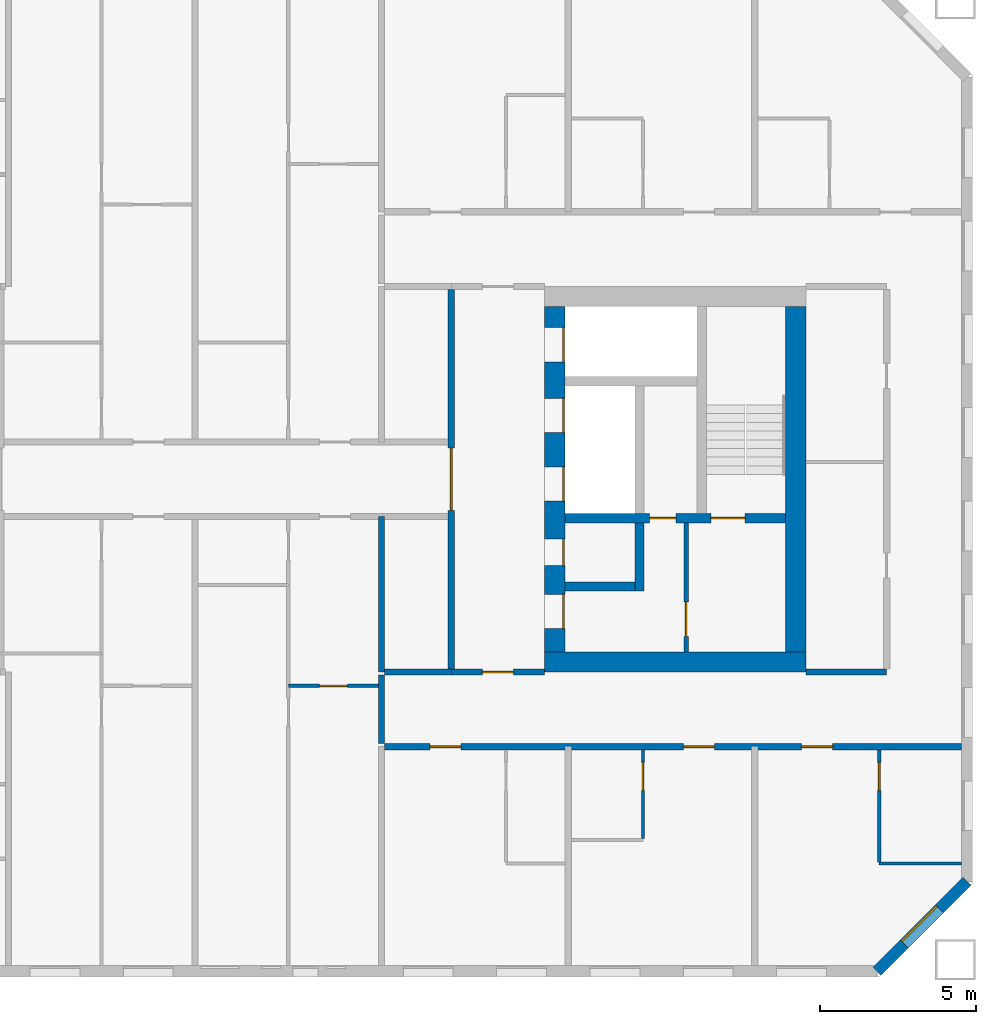
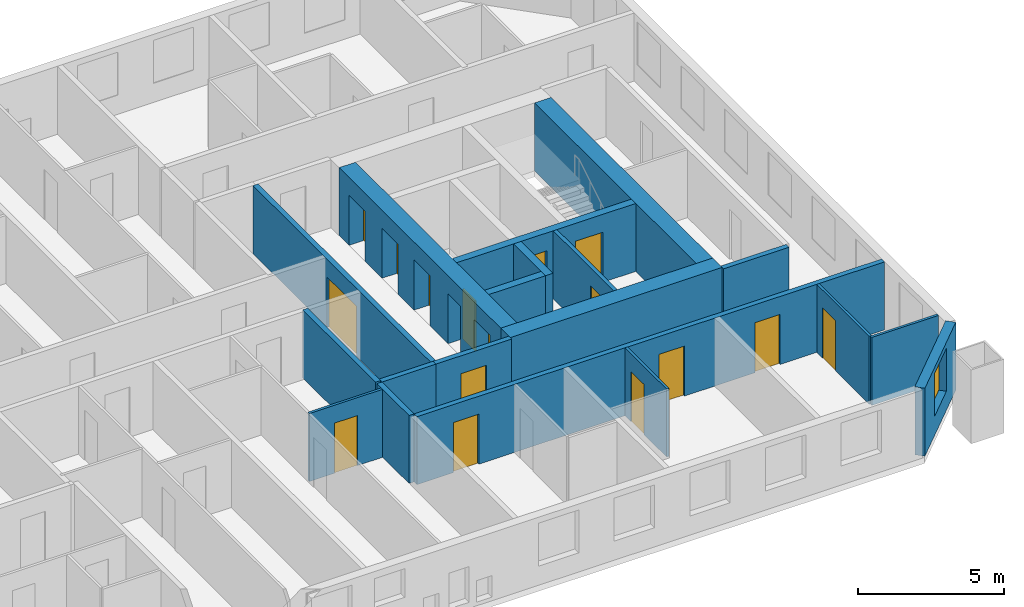
# One storey, part 12 of 16: 19 walls, 16 doors, 1 window, 17 openings.
"""IFC4 building model written with IfcOpenShell, lengths in metres."""

from ifc_helpers import new_model, si_unit, direction, frame, frame_2d, origin, place, context, subcontext, project, spatial, rectangle, extrude, material, layer, layer_set, type_object, element, fill, save


model = new_model("IFC4")

# Units and contexts
model_context = context("Model", 3, precision=1e-05, world=origin(), true_north=direction((0.0, 1.0)))
body_context = subcontext(model_context, "Body", "Model", "MODEL_VIEW")
ifc_project = project(units=[si_unit("LENGTHUNIT", "METRE"), si_unit("AREAUNIT", "SQUARE_METRE"), si_unit("VOLUMEUNIT", "CUBIC_METRE"), si_unit("PLANEANGLEUNIT", "RADIAN"), si_unit("MASSUNIT", "GRAM", prefix="KILO")], contexts=[model_context])

# Site, building, storey
site_placement = place(None, origin())
site = spatial("IfcSite", under=ifc_project, at=site_placement, CompositionType="ELEMENT")
building_placement = place(site_placement, origin())
building = spatial("IfcBuilding", under=site, at=building_placement, Name="Tuart Gate Housing", CompositionType="ELEMENT")
storey_placement = place(building_placement, frame((0.0, 0.0, 111.89990234375)))
storey = spatial("IfcBuildingStorey", under=building, at=storey_placement, Name="L31", CompositionType="ELEMENT", Elevation=111.89990234375)

# Wall, opening, window
ifc_material_1 = material(Name="Brick", Category="masonry")
ifc_layer_1 = layer(ifc_material_1, 0.360107421875)
ifc_layer_set_1 = layer_set([ifc_layer_1], Name="Brick pier and spandrel wall 360")
wall_type_1 = type_object("IfcWallType", Name="Brick pier and spandrel wall 360", PredefinedType="STANDARD", material=ifc_layer_set_1)
wall_1_placement = place(storey_placement, frame((170.92529296875, 54.179931640625, 0.0), z_axis=(0.0, 0.0, 1.0), x_axis=(0.707106781187, 0.707106781187, 0.0)))
wall_1 = element("IfcWall", 1, at=wall_1_placement, inside=storey, type_object=wall_type_1, Name="External wall B-SE L31", PredefinedType="STANDARD", context=body_context, shape_type="SweptSolid", body=[
    extrude(rectangle(XDim=4.09375, YDim=0.360107421875, at=frame_2d((2.046875, 0.0))), origin(), (0.0, 0.0, 1.0), 2.85009765625),
])
opening_1_placement = place(wall_1_placement, frame((1.2470703125, 0.0, 0.800048828125)))
opening_1 = element("IfcOpeningElement", 2, at=opening_1_placement, cuts=wall_1, Name="Opening W1", PredefinedType="OPENING", context=body_context, shape_type="SweptSolid", body=[
    extrude(rectangle(XDim=1.60009765625, YDim=1.800048828125, at=frame_2d((0.800048828125, 0.89990234375))), frame((0.0, 0.18994140625, 0.0), z_axis=(0.0, -1.0, 0.0), x_axis=(1.0, 0.0, 0.0)), (0.0, 0.0, 1.0), 0.380126953125),
])
ifc_material_2 = material(Name="Aluminium frame with clear glass", Category="aluminium")
window_type = type_object("IfcWindowType", Name="Punched window 1600 x 1800", PartitioningType="SINGLE_PANEL", PredefinedType="WINDOW", material=ifc_material_2)
window_placement = place(opening_1_placement, origin())
window = element("IfcWindow", 3, at=window_placement, inside=storey, type_object=window_type, Name="Window W1", OverallHeight=1.800048828125, OverallWidth=1.60009765625, PartitioningType="SINGLE_PANEL", PredefinedType="WINDOW", context=body_context, shape_type="SweptSolid", body=[
    extrude(rectangle(XDim=1.60009765625, YDim=1.800048828125, at=frame_2d((0.800048828125, 0.89990234375))), frame((0.0, 0.150146484375, 0.0), z_axis=(0.0, -1.0, 0.0), x_axis=(1.0, 0.0, 0.0)), (0.0, 0.0, 1.0), 0.06005859375),
])
fill(opening_1, window)

# Wall, opening, door
ifc_material_3 = material(Name="Plasterboard partition")
ifc_layer_2 = layer(ifc_material_3, 0.14990234375)
ifc_layer_set_2 = layer_set([ifc_layer_2], Name="Core partition 150")
wall_type_2 = type_object("IfcWallType", Name="Core partition 150", PredefinedType="PARTITIONING", material=ifc_layer_set_2)
wall_2_placement = place(storey_placement, frame((164.7900390625, 68.60009765625, 0.0), z_axis=(0.0, 0.0, 1.0), x_axis=(0.0, -1.0, 0.0)))
wall_2 = element("IfcWall", 4, at=wall_2_placement, inside=storey, type_object=wall_type_2, Name="Core partition BK.6", PredefinedType="PARTITIONING", context=body_context, shape_type="SweptSolid", body=[
    extrude(rectangle(XDim=4.150146484375, YDim=0.14990234375, at=frame_2d((2.0751953125, 0.0))), origin(), (0.0, 0.0, 1.0), 2.85009765625),
])
opening_2_placement = place(wall_2_placement, frame((2.550048828125, 0.0, 0.0)))
opening_2 = element("IfcOpeningElement", 5, at=opening_2_placement, cuts=wall_2, Name="Opening D1271", PredefinedType="OPENING", context=body_context, shape_type="SweptSolid", body=[
    extrude(rectangle(XDim=1.10009765625, YDim=2.10009765625, at=frame_2d((0.550048828125, 1.050048828125))), frame((0.0, 0.0849609375, 0.0), z_axis=(0.0, -1.0, 0.0), x_axis=(1.0, 0.0, 0.0)), (0.0, 0.0, 1.0), 0.169921875),
])
ifc_material_4 = material(Name="Steel fire door", Category="steel")
door_type_1 = type_object("IfcDoorType", Name="Lobby door 1100 x 2100 RH", OperationType="SINGLE_SWING_RIGHT", PredefinedType="DOOR", material=ifc_material_4)
door_1_placement = place(opening_2_placement, origin())
door_1 = element("IfcDoor", 6, at=door_1_placement, inside=storey, type_object=door_type_1, Name="Smoke lobby door BK.KD", OperationType="SINGLE_SWING_RIGHT", OverallHeight=2.10009765625, OverallWidth=1.10009765625, PredefinedType="DOOR", context=body_context, shape_type="SweptSolid", body=[
    extrude(rectangle(XDim=1.10009765625, YDim=2.10009765625, at=frame_2d((0.550048828125, 1.050048828125))), frame((0.0, 0.02490234375, 0.0), z_axis=(0.0, -1.0, 0.0), x_axis=(1.0, 0.0, 0.0)), (0.0, 0.0, 1.0), 0.050048828125),
])
fill(opening_2, door_1)

# Wall, openings, doors
ifc_material_5 = material(Name="Concrete C50", Category="concrete")
ifc_layer_3 = layer(ifc_material_5, 0.300048828125)
ifc_layer_set_3 = layer_set([ifc_layer_3], Name="Core wall 300 C50")
wall_type_3 = type_object("IfcWallType", Name="Core wall 300 C50", PredefinedType="SHEAR", material=ifc_layer_set_3)
wall_3_placement = place(storey_placement, frame((160.889892578125, 68.75, 0.0), z_axis=(0.0, 0.0, 1.0), x_axis=(1.0, 0.0, 0.0)))
wall_3 = element("IfcWall", 7, at=wall_3_placement, inside=storey, type_object=wall_type_3, Name="Core wall BK.2", PredefinedType="SHEAR", context=body_context, shape_type="SweptSolid", body=[
    extrude(rectangle(XDim=7.10009765625, YDim=0.300048828125, at=frame_2d((3.550048828125, 0.0))), origin(), (0.0, 0.0, 1.0), 2.85009765625),
])
opening_3_placement = place(wall_3_placement, frame((4.699951171875, 0.0, 0.0)))
opening_3 = element("IfcOpeningElement", 8, at=opening_3_placement, cuts=wall_3, Name="Opening D1270", PredefinedType="OPENING", context=body_context, shape_type="SweptSolid", body=[
    extrude(rectangle(XDim=1.10009765625, YDim=2.10009765625, at=frame_2d((0.550048828125, 1.050048828125))), frame((0.0, 0.159912109375, 0.0), z_axis=(0.0, -1.0, 0.0), x_axis=(1.0, 0.0, 0.0)), (0.0, 0.0, 1.0), 0.320068359375),
])
opening_4_placement = place(wall_3_placement, frame((2.72509765625, 0.0, 0.0)))
opening_4 = element("IfcOpeningElement", 9, at=opening_4_placement, cuts=wall_3, Name="Opening D1269", PredefinedType="OPENING", context=body_context, shape_type="SweptSolid", body=[
    extrude(rectangle(XDim=0.85009765625, YDim=2.10009765625, at=frame_2d((0.425048828125, 1.050048828125))), frame((0.0, 0.159912109375, 0.0), z_axis=(0.0, -1.0, 0.0), x_axis=(1.0, 0.0, 0.0)), (0.0, 0.0, 1.0), 0.320068359375),
])
ifc_material_6 = material(Name="Steel fire door", Category="steel")
door_type_2 = type_object("IfcDoorType", Name="Riser door 850 x 2100", OperationType="SINGLE_SWING_LEFT", PredefinedType="DOOR", material=ifc_material_6)
door_2_placement = place(opening_4_placement, origin())
door_2 = element("IfcDoor", 10, at=door_2_placement, inside=storey, type_object=door_type_2, Name="Service room door BK.W1", OperationType="SINGLE_SWING_LEFT", OverallHeight=2.10009765625, OverallWidth=0.85009765625, PredefinedType="DOOR", context=body_context, shape_type="SweptSolid", body=[
    extrude(rectangle(XDim=0.85009765625, YDim=2.10009765625, at=frame_2d((0.425048828125, 1.050048828125))), frame((0.0, 0.02490234375, 0.0), z_axis=(0.0, -1.0, 0.0), x_axis=(1.0, 0.0, 0.0)), (0.0, 0.0, 1.0), 0.050048828125),
])
fill(opening_4, door_2)
ifc_material_7 = material(Name="Steel fire door", Category="steel")
door_type_3 = type_object("IfcDoorType", Name="Stair door 1100 x 2100", OperationType="SINGLE_SWING_LEFT", PredefinedType="DOOR", material=ifc_material_7)
door_3_placement = place(opening_3_placement, origin())
door_3 = element("IfcDoor", 11, at=door_3_placement, inside=storey, type_object=door_type_3, Name="Stair door BK.SD", OperationType="SINGLE_SWING_LEFT", OverallHeight=2.10009765625, OverallWidth=1.10009765625, PredefinedType="DOOR", context=body_context, shape_type="SweptSolid", body=[
    extrude(rectangle(XDim=1.10009765625, YDim=2.10009765625, at=frame_2d((0.550048828125, 1.050048828125))), frame((0.0, 0.02490234375, 0.0), z_axis=(0.0, -1.0, 0.0), x_axis=(1.0, 0.0, 0.0)), (0.0, 0.0, 1.0), 0.050048828125),
])
fill(opening_3, door_3)

# Walls
wall_4_placement = place(storey_placement, frame((160.889892578125, 66.550048828125, 0.0), z_axis=(0.0, 0.0, 1.0), x_axis=(1.0, 0.0, 0.0)))
element("IfcWall", 12, at=wall_4_placement, inside=storey, type_object=wall_type_3, Name="Core wall BK.3", PredefinedType="SHEAR", context=body_context, shape_type="SweptSolid", body=[
    extrude(rectangle(XDim=2.25, YDim=0.300048828125, at=frame_2d((1.125, 0.0))), origin(), (0.0, 0.0, 1.0), 2.85009765625),
])
wall_5_placement = place(storey_placement, frame((163.2900390625, 68.60009765625, 0.0), z_axis=(0.0, 0.0, 1.0), x_axis=(0.0, -1.0, 0.0)))
element("IfcWall", 13, at=wall_5_placement, inside=storey, type_object=wall_type_3, Name="Core wall BK.5", PredefinedType="SHEAR", context=body_context, shape_type="SweptSolid", body=[
    extrude(rectangle(XDim=2.2001953125, YDim=0.300048828125, at=frame_2d((1.10009765625, 0.0))), origin(), (0.0, 0.0, 1.0), 2.85009765625),
])

# Wall, openings, doors
ifc_material_8 = material(Name="Concrete C50", Category="concrete")
ifc_layer_4 = layer(ifc_material_8, 0.64990234375)
ifc_layer_set_4 = layer_set([ifc_layer_4], Name="Core wall 650 C50")
wall_type_4 = type_object("IfcWallType", Name="Core wall 650 C50", PredefinedType="SHEAR", material=ifc_layer_set_4)
wall_6_placement = place(storey_placement, frame((160.56494140625, 75.550048828125, 0.0), z_axis=(0.0, 0.0, 1.0), x_axis=(0.0, -1.0, 0.0)))
wall_6 = element("IfcWall", 14, at=wall_6_placement, inside=storey, type_object=wall_type_4, Name="Core wall BK front", PredefinedType="SHEAR", context=body_context, shape_type="SweptSolid", body=[
    extrude(rectangle(XDim=11.10009765625, YDim=0.64990234375, at=frame_2d((5.550048828125, 0.0))), origin(), (0.0, 0.0, 1.0), 2.85009765625),
])
opening_5_placement = place(wall_6_placement, frame((0.675048828125, 0.0, 0.0)))
opening_5 = element("IfcOpeningElement", 15, at=opening_5_placement, cuts=wall_6, Name="Opening LD-FB2", PredefinedType="OPENING", context=body_context, shape_type="SweptSolid", body=[
    extrude(rectangle(XDim=1.10009765625, YDim=2.10009765625, at=frame_2d((0.550048828125, 1.050048828125))), frame((0.0, 0.3349609375, 0.0), z_axis=(0.0, -1.0, 0.0), x_axis=(1.0, 0.0, 0.0)), (0.0, 0.0, 1.0), 0.669921875),
])
opening_6_placement = place(wall_6_placement, frame((2.949951171875, 0.0, 0.0)))
opening_6 = element("IfcOpeningElement", 16, at=opening_6_placement, cuts=wall_6, Name="Opening LD-LB3", PredefinedType="OPENING", context=body_context, shape_type="SweptSolid", body=[
    extrude(rectangle(XDim=1.10009765625, YDim=2.10009765625, at=frame_2d((0.550048828125, 1.050048828125))), frame((0.0, 0.3349609375, 0.0), z_axis=(0.0, -1.0, 0.0), x_axis=(1.0, 0.0, 0.0)), (0.0, 0.0, 1.0), 0.669921875),
])
opening_7_placement = place(wall_6_placement, frame((5.14990234375, 0.0, 0.0)))
opening_7 = element("IfcOpeningElement", 17, at=opening_7_placement, cuts=wall_6, Name="Opening LD-LB4", PredefinedType="OPENING", context=body_context, shape_type="SweptSolid", body=[
    extrude(rectangle(XDim=1.10009765625, YDim=2.10009765625, at=frame_2d((0.550048828125, 1.050048828125))), frame((0.0, 0.3349609375, 0.0), z_axis=(0.0, -1.0, 0.0), x_axis=(1.0, 0.0, 0.0)), (0.0, 0.0, 1.0), 0.669921875),
])
opening_8_placement = place(wall_6_placement, frame((9.25, 0.0, 0.0)))
opening_8 = element("IfcOpeningElement", 18, at=opening_8_placement, cuts=wall_6, Name="Opening D1263", PredefinedType="OPENING", context=body_context, shape_type="SweptSolid", body=[
    extrude(rectangle(XDim=1.10009765625, YDim=2.10009765625, at=frame_2d((0.550048828125, 1.050048828125))), frame((0.0, 0.3349609375, 0.0), z_axis=(0.0, -1.0, 0.0), x_axis=(1.0, 0.0, 0.0)), (0.0, 0.0, 1.0), 0.669921875),
])
opening_9_placement = place(wall_6_placement, frame((7.47509765625, 0.0, 0.0)))
opening_9 = element("IfcOpeningElement", 19, at=opening_9_placement, cuts=wall_6, Name="Opening D1264", PredefinedType="OPENING", context=body_context, shape_type="SweptSolid", body=[
    extrude(rectangle(XDim=0.85009765625, YDim=2.10009765625, at=frame_2d((0.425048828125, 1.050048828125))), frame((0.0, 0.3349609375, 0.0), z_axis=(0.0, -1.0, 0.0), x_axis=(1.0, 0.0, 0.0)), (0.0, 0.0, 1.0), 0.669921875),
])
ifc_material_9 = material(Name="Stainless steel", Category="steel")
door_type_4 = type_object("IfcDoorType", Name="Landing door 1100 x 2100", OperationType="DOUBLE_DOOR_SLIDING", PredefinedType="DOOR", material=ifc_material_9)
door_4_placement = place(opening_5_placement, origin())
door_4 = element("IfcDoor", 20, at=door_4_placement, inside=storey, type_object=door_type_4, Name="Lift landing door FB2", OperationType="DOUBLE_DOOR_SLIDING", OverallHeight=2.10009765625, OverallWidth=1.10009765625, PredefinedType="DOOR", context=body_context, shape_type="SweptSolid", body=[
    extrude(rectangle(XDim=1.10009765625, YDim=2.10009765625, at=frame_2d((0.550048828125, 1.050048828125))), frame((0.0, 0.31005859375, 0.0), z_axis=(0.0, -1.0, 0.0), x_axis=(1.0, 0.0, 0.0)), (0.0, 0.0, 1.0), 0.050048828125),
])
fill(opening_5, door_4)
door_5_placement = place(opening_6_placement, origin())
door_5 = element("IfcDoor", 21, at=door_5_placement, inside=storey, type_object=door_type_4, Name="Lift landing door LB3", OperationType="DOUBLE_DOOR_SLIDING", OverallHeight=2.10009765625, OverallWidth=1.10009765625, PredefinedType="DOOR", context=body_context, shape_type="SweptSolid", body=[
    extrude(rectangle(XDim=1.10009765625, YDim=2.10009765625, at=frame_2d((0.550048828125, 1.050048828125))), frame((0.0, 0.31005859375, 0.0), z_axis=(0.0, -1.0, 0.0), x_axis=(1.0, 0.0, 0.0)), (0.0, 0.0, 1.0), 0.050048828125),
])
fill(opening_6, door_5)
door_6_placement = place(opening_7_placement, origin())
door_6 = element("IfcDoor", 22, at=door_6_placement, inside=storey, type_object=door_type_4, Name="Lift landing door LB4", OperationType="DOUBLE_DOOR_SLIDING", OverallHeight=2.10009765625, OverallWidth=1.10009765625, PredefinedType="DOOR", context=body_context, shape_type="SweptSolid", body=[
    extrude(rectangle(XDim=1.10009765625, YDim=2.10009765625, at=frame_2d((0.550048828125, 1.050048828125))), frame((0.0, 0.31005859375, 0.0), z_axis=(0.0, -1.0, 0.0), x_axis=(1.0, 0.0, 0.0)), (0.0, 0.0, 1.0), 0.050048828125),
])
fill(opening_7, door_6)
ifc_material_10 = material(Name="Steel fire door", Category="steel")
door_type_5 = type_object("IfcDoorType", Name="Lobby door 1100 x 2100", OperationType="SINGLE_SWING_LEFT", PredefinedType="DOOR", material=ifc_material_10)
door_7_placement = place(opening_8_placement, origin())
door_7 = element("IfcDoor", 23, at=door_7_placement, inside=storey, type_object=door_type_5, Name="Lobby entry door BK.EN", OperationType="SINGLE_SWING_LEFT", OverallHeight=2.10009765625, OverallWidth=1.10009765625, PredefinedType="DOOR", context=body_context, shape_type="SweptSolid", body=[
    extrude(rectangle(XDim=1.10009765625, YDim=2.10009765625, at=frame_2d((0.550048828125, 1.050048828125))), frame((0.0, 0.31005859375, 0.0), z_axis=(0.0, -1.0, 0.0), x_axis=(1.0, 0.0, 0.0)), (0.0, 0.0, 1.0), 0.050048828125),
])
fill(opening_8, door_7)
ifc_material_11 = material(Name="Steel fire door", Category="steel")
door_type_6 = type_object("IfcDoorType", Name="Service door 850 x 2100", OperationType="SINGLE_SWING_LEFT", PredefinedType="DOOR", material=ifc_material_11)
door_8_placement = place(opening_9_placement, origin())
door_8 = element("IfcDoor", 24, at=door_8_placement, inside=storey, type_object=door_type_6, Name="Service room door BK.T1", OperationType="SINGLE_SWING_LEFT", OverallHeight=2.10009765625, OverallWidth=0.85009765625, PredefinedType="DOOR", context=body_context, shape_type="SweptSolid", body=[
    extrude(rectangle(XDim=0.85009765625, YDim=2.10009765625, at=frame_2d((0.425048828125, 1.050048828125))), frame((0.0, 0.31005859375, 0.0), z_axis=(0.0, -1.0, 0.0), x_axis=(1.0, 0.0, 0.0)), (0.0, 0.0, 1.0), 0.050048828125),
])
fill(opening_9, door_8)

# Walls
wall_7_placement = place(storey_placement, frame((168.31494140625, 75.550048828125, 0.0), z_axis=(0.0, 0.0, 1.0), x_axis=(0.0, -1.0, 0.0)))
element("IfcWall", 25, at=wall_7_placement, inside=storey, type_object=wall_type_4, Name="Core wall BK back", PredefinedType="SHEAR", context=body_context, shape_type="SweptSolid", body=[
    extrude(rectangle(XDim=11.10009765625, YDim=0.64990234375, at=frame_2d((5.550048828125, 0.0))), origin(), (0.0, 0.0, 1.0), 2.85009765625),
])
wall_8_placement = place(storey_placement, frame((160.239990234375, 64.125, 0.0), z_axis=(0.0, 0.0, 1.0), x_axis=(1.0, 0.0, 0.0)))
element("IfcWall", 26, at=wall_8_placement, inside=storey, type_object=wall_type_4, Name="Core wall BK north", PredefinedType="SHEAR", context=body_context, shape_type="SweptSolid", body=[
    extrude(rectangle(XDim=8.39990234375, YDim=0.64990234375, at=frame_2d((4.199951171875, 0.0))), origin(), (0.0, 0.0, 1.0), 2.85009765625),
])

# Wall, openings, doors
ifc_material_12 = material(Name="Concrete masonry 15 MPa", Category="masonry")
ifc_layer_5 = layer(ifc_material_12, 0.199951171875)
ifc_layer_set_5 = layer_set([ifc_layer_5], Name="Corridor wall masonry 200")
wall_type_5 = type_object("IfcWallType", Name="Corridor wall masonry 200", PredefinedType="PARTITIONING", material=ifc_layer_set_5)
wall_9_placement = place(storey_placement, frame((155.10009765625, 61.39990234375, 0.0), z_axis=(0.0, 0.0, 1.0), x_axis=(1.0, 0.0, 0.0)))
wall_9 = element("IfcWall", 27, at=wall_9_placement, inside=storey, type_object=wall_type_5, Name="Corridor wall masonry 200", PredefinedType="PARTITIONING", context=body_context, shape_type="SweptSolid", body=[
    extrude(rectangle(XDim=18.539794921875, YDim=0.199951171875, at=frame_2d((9.27001953125, 0.0))), origin(), (0.0, 0.0, 1.0), 2.85009765625),
])
opening_10_placement = place(wall_9_placement, frame((1.449951171875, 0.0, 0.0)))
opening_10 = element("IfcOpeningElement", 28, at=opening_10_placement, cuts=wall_9, Name="Opening D1280", PredefinedType="OPENING", context=body_context, shape_type="SweptSolid", body=[
    extrude(rectangle(XDim=1.0, YDim=2.10009765625, at=frame_2d((0.5, 1.050048828125))), frame((0.0, 0.10986328125, 0.0), z_axis=(0.0, -1.0, 0.0), x_axis=(1.0, 0.0, 0.0)), (0.0, 0.0, 1.0), 0.219970703125),
])
opening_11_placement = place(wall_9_placement, frame((9.60009765625, 0.0, 0.0)))
opening_11 = element("IfcOpeningElement", 29, at=opening_11_placement, cuts=wall_9, Name="Opening D1281", PredefinedType="OPENING", context=body_context, shape_type="SweptSolid", body=[
    extrude(rectangle(XDim=1.0, YDim=2.10009765625, at=frame_2d((0.5, 1.050048828125))), frame((0.0, 0.10986328125, 0.0), z_axis=(0.0, -1.0, 0.0), x_axis=(1.0, 0.0, 0.0)), (0.0, 0.0, 1.0), 0.219970703125),
])
opening_12_placement = place(wall_9_placement, frame((13.39990234375, 0.0, 0.0)))
opening_12 = element("IfcOpeningElement", 30, at=opening_12_placement, cuts=wall_9, Name="Opening D1282", PredefinedType="OPENING", context=body_context, shape_type="SweptSolid", body=[
    extrude(rectangle(XDim=1.0, YDim=2.10009765625, at=frame_2d((0.5, 1.050048828125))), frame((0.0, 0.10986328125, 0.0), z_axis=(0.0, -1.0, 0.0), x_axis=(1.0, 0.0, 0.0)), (0.0, 0.0, 1.0), 0.219970703125),
])
ifc_material_13 = material(Name="Timber door leaf in steel frame", Category="steel")
door_type_7 = type_object("IfcDoorType", Name="Flat entrance door 1000", OperationType="SINGLE_SWING_LEFT", PredefinedType="DOOR", material=ifc_material_13)
door_9_placement = place(opening_10_placement, frame((1.0, 0.0, 0.0), z_axis=(0.0, 0.0, 1.0), x_axis=(-1.0, 0.0, 0.0)))
door_9 = element("IfcDoor", 31, at=door_9_placement, inside=storey, type_object=door_type_7, Name="Flat entrance door", OperationType="SINGLE_SWING_LEFT", OverallHeight=2.10009765625, OverallWidth=1.0, PredefinedType="DOOR", context=body_context, shape_type="SweptSolid", body=[
    extrude(rectangle(XDim=1.0, YDim=2.10009765625, at=frame_2d((0.5, 1.050048828125))), frame((0.0, 0.025146484375, 0.0), z_axis=(0.0, -1.0, 0.0), x_axis=(1.0, 0.0, 0.0)), (0.0, 0.0, 1.0), 0.050048828125),
])
fill(opening_10, door_9)
ifc_material_14 = material(Name="Timber door leaf in steel frame", Category="steel")
door_type_8 = type_object("IfcDoorType", Name="Flat entrance door 1000 RH", OperationType="SINGLE_SWING_RIGHT", PredefinedType="DOOR", material=ifc_material_14)
door_10_placement = place(opening_11_placement, frame((1.0, 0.0, 0.0), z_axis=(0.0, 0.0, 1.0), x_axis=(-1.0, 0.0, 0.0)))
door_10 = element("IfcDoor", 32, at=door_10_placement, inside=storey, type_object=door_type_8, Name="Flat entrance door", OperationType="SINGLE_SWING_RIGHT", OverallHeight=2.10009765625, OverallWidth=1.0, PredefinedType="DOOR", context=body_context, shape_type="SweptSolid", body=[
    extrude(rectangle(XDim=1.0, YDim=2.10009765625, at=frame_2d((0.5, 1.050048828125))), frame((0.0, 0.025146484375, 0.0), z_axis=(0.0, -1.0, 0.0), x_axis=(1.0, 0.0, 0.0)), (0.0, 0.0, 1.0), 0.050048828125),
])
fill(opening_11, door_10)
door_11_placement = place(opening_12_placement, frame((1.0, 0.0, 0.0), z_axis=(0.0, 0.0, 1.0), x_axis=(-1.0, 0.0, 0.0)))
door_11 = element("IfcDoor", 33, at=door_11_placement, inside=storey, type_object=door_type_8, Name="Flat entrance door", OperationType="SINGLE_SWING_RIGHT", OverallHeight=2.10009765625, OverallWidth=1.0, PredefinedType="DOOR", context=body_context, shape_type="SweptSolid", body=[
    extrude(rectangle(XDim=1.0, YDim=2.10009765625, at=frame_2d((0.5, 1.050048828125))), frame((0.0, 0.025146484375, 0.0), z_axis=(0.0, -1.0, 0.0), x_axis=(1.0, 0.0, 0.0)), (0.0, 0.0, 1.0), 0.050048828125),
])
fill(opening_12, door_11)

# Walls
wall_10_placement = place(storey_placement, frame((155.10009765625, 63.800048828125, 0.0), z_axis=(0.0, 0.0, 1.0), x_axis=(1.0, 0.0, 0.0)))
element("IfcWall", 34, at=wall_10_placement, inside=storey, type_object=wall_type_5, Name="Corridor wall masonry 200", PredefinedType="PARTITIONING", context=body_context, shape_type="SweptSolid", body=[
    extrude(rectangle(XDim=2.139892578125, YDim=0.199951171875, at=frame_2d((1.06982421875, 0.0))), origin(), (0.0, 0.0, 1.0), 2.85009765625),
])
wall_11_placement = place(storey_placement, frame((168.639892578125, 63.800048828125, 0.0), z_axis=(0.0, 0.0, 1.0), x_axis=(1.0, 0.0, 0.0)))
element("IfcWall", 35, at=wall_11_placement, inside=storey, type_object=wall_type_5, Name="Corridor wall masonry 200", PredefinedType="PARTITIONING", context=body_context, shape_type="SweptSolid", body=[
    extrude(rectangle(XDim=2.60009765625, YDim=0.199951171875, at=frame_2d((1.300048828125, 0.0))), origin(), (0.0, 0.0, 1.0), 2.85009765625),
])
wall_12_placement = place(storey_placement, frame((155.0, 61.5, 0.0), z_axis=(0.0, 0.0, 1.0), x_axis=(0.0, 1.0, 0.0)))
element("IfcWall", 36, at=wall_12_placement, inside=storey, type_object=wall_type_5, Name="Corridor wall masonry 200", PredefinedType="PARTITIONING", context=body_context, shape_type="SweptSolid", body=[
    extrude(rectangle(XDim=2.199951171875, YDim=0.199951171875, at=frame_2d((1.10009765625, 0.0))), origin(), (0.0, 0.0, 1.0), 2.85009765625),
])

# Wall, opening, door
ifc_material_15 = material(Name="Concrete masonry 15 MPa", Category="masonry")
ifc_layer_6 = layer(ifc_material_15, 0.199951171875)
ifc_layer_set_6 = layer_set([ifc_layer_6], Name="Enclosure wall masonry 200")
wall_type_6 = type_object("IfcWallType", Name="Enclosure wall masonry 200", PredefinedType="PARTITIONING", material=ifc_layer_set_6)
wall_13_placement = place(storey_placement, frame((157.239990234375, 63.800048828125, 0.0), z_axis=(0.0, 0.0, 1.0), x_axis=(1.0, 0.0, 0.0)))
wall_13 = element("IfcWall", 37, at=wall_13_placement, inside=storey, type_object=wall_type_6, Name="Enclosure wall masonry 200", PredefinedType="PARTITIONING", context=body_context, shape_type="SweptSolid", body=[
    extrude(rectangle(XDim=3.0, YDim=0.199951171875, at=frame_2d((1.5, 0.0))), origin(), (0.0, 0.0, 1.0), 2.85009765625),
])
opening_13_placement = place(wall_13_placement, frame((1.0, 0.0, 0.0)))
opening_13 = element("IfcOpeningElement", 38, at=opening_13_placement, cuts=wall_13, Name="Opening D1273", PredefinedType="OPENING", context=body_context, shape_type="SweptSolid", body=[
    extrude(rectangle(XDim=1.0, YDim=2.10009765625, at=frame_2d((0.5, 1.050048828125))), frame((0.0, 0.10986328125, 0.0), z_axis=(0.0, -1.0, 0.0), x_axis=(1.0, 0.0, 0.0)), (0.0, 0.0, 1.0), 0.219970703125),
])
ifc_material_16 = material(Name="Timber door leaf in steel frame", Category="steel")
door_type_9 = type_object("IfcDoorType", Name="Fire door 1000 RH", OperationType="SINGLE_SWING_RIGHT", PredefinedType="DOOR", material=ifc_material_16)
door_12_placement = place(opening_13_placement, frame((1.0, 0.0, 0.0), z_axis=(0.0, 0.0, 1.0), x_axis=(-1.0, 0.0, 0.0)))
door_12 = element("IfcDoor", 39, at=door_12_placement, inside=storey, type_object=door_type_9, Name="Fire door", OperationType="SINGLE_SWING_RIGHT", OverallHeight=2.10009765625, OverallWidth=1.0, PredefinedType="DOOR", context=body_context, shape_type="SweptSolid", body=[
    extrude(rectangle(XDim=1.0, YDim=2.10009765625, at=frame_2d((0.5, 1.050048828125))), frame((0.0, 0.025146484375, 0.0), z_axis=(0.0, -1.0, 0.0), x_axis=(1.0, 0.0, 0.0)), (0.0, 0.0, 1.0), 0.050048828125),
])
fill(opening_13, door_12)

ifc_material_17 = material(Name="Plasterboard partition")
ifc_layer_7 = layer(ifc_material_17, 0.199951171875)
ifc_layer_set_7 = layer_set([ifc_layer_7], Name="Lobby wall 200")
wall_type_7 = type_object("IfcWallType", Name="Lobby wall 200", PredefinedType="PARTITIONING", material=ifc_layer_set_7)
wall_14_placement = place(storey_placement, frame((157.239990234375, 63.89990234375, 0.0), z_axis=(0.0, 0.0, 1.0), x_axis=(0.0, 1.0, 0.0)))
wall_14 = element("IfcWall", 40, at=wall_14_placement, inside=storey, type_object=wall_type_7, Name="Lift lobby wall BK", PredefinedType="PARTITIONING", context=body_context, shape_type="SweptSolid", body=[
    extrude(rectangle(XDim=12.2001953125, YDim=0.199951171875, at=frame_2d((6.10009765625, 0.0))), origin(), (0.0, 0.0, 1.0), 2.85009765625),
])
opening_14_placement = place(wall_14_placement, frame((5.10009765625, 0.0, 0.0)))
opening_14 = element("IfcOpeningElement", 41, at=opening_14_placement, cuts=wall_14, Name="Opening D1262", PredefinedType="OPENING", context=body_context, shape_type="SweptSolid", body=[
    extrude(rectangle(XDim=2.0, YDim=2.10009765625, at=frame_2d((1.0, 1.050048828125))), frame((0.0, 0.10986328125, 0.0), z_axis=(0.0, -1.0, 0.0), x_axis=(1.0, 0.0, 0.0)), (0.0, 0.0, 1.0), 0.219970703125),
])
ifc_material_18 = material(Name="Steel fire door", Category="steel")
door_type_10 = type_object("IfcDoorType", Name="Smoke door 2000 x 2100", OperationType="DOUBLE_DOOR_SINGLE_SWING", PredefinedType="DOOR", material=ifc_material_18)
door_13_placement = place(opening_14_placement, frame((2.0, 0.0, 0.0), z_axis=(0.0, 0.0, 1.0), x_axis=(-1.0, 0.0, 0.0)))
door_13 = element("IfcDoor", 42, at=door_13_placement, inside=storey, type_object=door_type_10, Name="Lift lobby smoke door BK", OperationType="DOUBLE_DOOR_SINGLE_SWING", OverallHeight=2.10009765625, OverallWidth=2.0, PredefinedType="DOOR", context=body_context, shape_type="SweptSolid", body=[
    extrude(rectangle(XDim=2.0, YDim=2.10009765625, at=frame_2d((1.0, 1.050048828125))), frame((0.0, 0.025146484375, 0.0), z_axis=(0.0, -1.0, 0.0), x_axis=(1.0, 0.0, 0.0)), (0.0, 0.0, 1.0), 0.050048828125),
])
fill(opening_14, door_13)

# Wall
ifc_material_19 = material(Name="Gypsum board on steel studs", Category="steel")
ifc_layer_8 = layer(ifc_material_19, 0.10009765625)
ifc_layer_set_8 = layer_set([ifc_layer_8], Name="Partition 100")
wall_type_8 = type_object("IfcWallType", Name="Partition 100", PredefinedType="PARTITIONING", material=ifc_layer_set_8)
wall_15_placement = place(storey_placement, frame((171.0, 57.64990234375, 0.0), z_axis=(0.0, 0.0, 1.0), x_axis=(1.0, 0.0, 0.0)))
element("IfcWall", 43, at=wall_15_placement, inside=storey, type_object=wall_type_8, Name="Partition 100", PredefinedType="PARTITIONING", context=body_context, shape_type="SweptSolid", body=[
    extrude(rectangle(XDim=2.639892578125, YDim=0.10009765625, at=frame_2d((1.31982421875, 0.0))), origin(), (0.0, 0.0, 1.0), 2.85009765625),
])

# Wall, opening, door
wall_16_placement = place(storey_placement, frame((152.0, 63.360107421875, 0.0), z_axis=(0.0, 0.0, 1.0), x_axis=(1.0, 0.0, 0.0)))
wall_16 = element("IfcWall", 44, at=wall_16_placement, inside=storey, type_object=wall_type_8, Name="Partition 100", PredefinedType="PARTITIONING", context=body_context, shape_type="SweptSolid", body=[
    extrude(rectangle(XDim=2.89990234375, YDim=0.10009765625, at=frame_2d((1.449951171875, 0.0))), origin(), (0.0, 0.0, 1.0), 2.85009765625),
])
opening_15_placement = place(wall_16_placement, frame((1.0, 0.0, 0.0)))
opening_15 = element("IfcOpeningElement", 45, at=opening_15_placement, cuts=wall_16, Name="Opening D1275", PredefinedType="OPENING", context=body_context, shape_type="SweptSolid", body=[
    extrude(rectangle(XDim=0.89990234375, YDim=2.10009765625, at=frame_2d((0.449951171875, 1.050048828125))), frame((0.0, 0.06005859375, 0.0), z_axis=(0.0, -1.0, 0.0), x_axis=(1.0, 0.0, 0.0)), (0.0, 0.0, 1.0), 0.1201171875),
])
ifc_material_20 = material(Name="Timber door leaf in steel frame", Category="steel")
door_type_11 = type_object("IfcDoorType", Name="Internal door 900", OperationType="SINGLE_SWING_LEFT", PredefinedType="DOOR", material=ifc_material_20)
door_14_placement = place(opening_15_placement, origin())
door_14 = element("IfcDoor", 46, at=door_14_placement, inside=storey, type_object=door_type_11, Name="Internal door", OperationType="SINGLE_SWING_LEFT", OverallHeight=2.10009765625, OverallWidth=0.89990234375, PredefinedType="DOOR", context=body_context, shape_type="SweptSolid", body=[
    extrude(rectangle(XDim=0.89990234375, YDim=2.10009765625, at=frame_2d((0.449951171875, 1.050048828125))), frame((0.0, 0.02490234375, 0.0), z_axis=(0.0, -1.0, 0.0), x_axis=(1.0, 0.0, 0.0)), (0.0, 0.0, 1.0), 0.050048828125),
])
fill(opening_15, door_14)

wall_17_placement = place(storey_placement, frame((163.39990234375, 58.449951171875, 0.0), z_axis=(0.0, 0.0, 1.0), x_axis=(0.0, 1.0, 0.0)))
wall_17 = element("IfcWall", 47, at=wall_17_placement, inside=storey, type_object=wall_type_8, Name="Partition 100", PredefinedType="PARTITIONING", context=body_context, shape_type="SweptSolid", body=[
    extrude(rectangle(XDim=2.85009765625, YDim=0.10009765625, at=frame_2d((1.425048828125, 0.0))), origin(), (0.0, 0.0, 1.0), 2.85009765625),
])
opening_16_placement = place(wall_17_placement, frame((1.550048828125, 0.0, 0.0)))
opening_16 = element("IfcOpeningElement", 48, at=opening_16_placement, cuts=wall_17, Name="Opening D1285", PredefinedType="OPENING", context=body_context, shape_type="SweptSolid", body=[
    extrude(rectangle(XDim=0.89990234375, YDim=2.10009765625, at=frame_2d((0.449951171875, 1.050048828125))), frame((0.0, 0.06005859375, 0.0), z_axis=(0.0, -1.0, 0.0), x_axis=(1.0, 0.0, 0.0)), (0.0, 0.0, 1.0), 0.1201171875),
])
ifc_material_21 = material(Name="Timber door leaf in steel frame", Category="steel")
door_type_12 = type_object("IfcDoorType", Name="Bathroom door 900 RH", OperationType="SINGLE_SWING_RIGHT", PredefinedType="DOOR", material=ifc_material_21)
door_15_placement = place(opening_16_placement, origin())
door_15 = element("IfcDoor", 49, at=door_15_placement, inside=storey, type_object=door_type_12, Name="Bathroom door", OperationType="SINGLE_SWING_RIGHT", OverallHeight=2.10009765625, OverallWidth=0.89990234375, PredefinedType="DOOR", context=body_context, shape_type="SweptSolid", body=[
    extrude(rectangle(XDim=0.89990234375, YDim=2.10009765625, at=frame_2d((0.449951171875, 1.050048828125))), frame((0.0, 0.02490234375, 0.0), z_axis=(0.0, -1.0, 0.0), x_axis=(1.0, 0.0, 0.0)), (0.0, 0.0, 1.0), 0.050048828125),
])
fill(opening_16, door_15)

wall_18_placement = place(storey_placement, frame((171.0, 57.699951171875, 0.0), z_axis=(0.0, 0.0, 1.0), x_axis=(0.0, 1.0, 0.0)))
wall_18 = element("IfcWall", 50, at=wall_18_placement, inside=storey, type_object=wall_type_8, Name="Partition 100", PredefinedType="PARTITIONING", context=body_context, shape_type="SweptSolid", body=[
    extrude(rectangle(XDim=3.60009765625, YDim=0.10009765625, at=frame_2d((1.800048828125, 0.0))), origin(), (0.0, 0.0, 1.0), 2.85009765625),
])
opening_17_placement = place(wall_18_placement, frame((2.300048828125, 0.0, 0.0)))
opening_17 = element("IfcOpeningElement", 51, at=opening_17_placement, cuts=wall_18, Name="Opening D1287", PredefinedType="OPENING", context=body_context, shape_type="SweptSolid", body=[
    extrude(rectangle(XDim=0.89990234375, YDim=2.10009765625, at=frame_2d((0.449951171875, 1.050048828125))), frame((0.0, 0.06005859375, 0.0), z_axis=(0.0, -1.0, 0.0), x_axis=(1.0, 0.0, 0.0)), (0.0, 0.0, 1.0), 0.1201171875),
])
ifc_material_22 = material(Name="Timber door leaf in steel frame", Category="steel")
door_type_13 = type_object("IfcDoorType", Name="Bathroom door 900", OperationType="SINGLE_SWING_LEFT", PredefinedType="DOOR", material=ifc_material_22)
door_16_placement = place(opening_17_placement, frame((0.89990234375, 0.0, 0.0), z_axis=(0.0, 0.0, 1.0), x_axis=(-1.0, 0.0, 0.0)))
door_16 = element("IfcDoor", 52, at=door_16_placement, inside=storey, type_object=door_type_13, Name="Bathroom door", OperationType="SINGLE_SWING_LEFT", OverallHeight=2.10009765625, OverallWidth=0.89990234375, PredefinedType="DOOR", context=body_context, shape_type="SweptSolid", body=[
    extrude(rectangle(XDim=0.89990234375, YDim=2.10009765625, at=frame_2d((0.449951171875, 1.050048828125))), frame((0.0, 0.025146484375, 0.0), z_axis=(0.0, -1.0, 0.0), x_axis=(1.0, 0.0, 0.0)), (0.0, 0.0, 1.0), 0.050048828125),
])
fill(opening_17, door_16)

# Wall
ifc_material_23 = material(Name="Concrete C40", Category="concrete")
ifc_layer_9 = layer(ifc_material_23, 0.199951171875)
ifc_layer_set_9 = layer_set([ifc_layer_9], Name="Party wall concrete C40 200")
wall_type_9 = type_object("IfcWallType", Name="Party wall concrete C40 200", PredefinedType="SOLIDWALL", material=ifc_layer_set_9)
wall_19_placement = place(storey_placement, frame((155.0, 63.800048828125, 0.0), z_axis=(0.0, 0.0, 1.0), x_axis=(0.0, 1.0, 0.0)))
element("IfcWall", 53, at=wall_19_placement, inside=storey, type_object=wall_type_9, Name="Party wall concrete C40 200", PredefinedType="SOLIDWALL", context=body_context, shape_type="SweptSolid", body=[
    extrude(rectangle(XDim=5.0, YDim=0.199951171875, at=frame_2d((2.5, 0.0))), origin(), (0.0, 0.0, 1.0), 2.85009765625),
])

save(model, "model.ifc")
